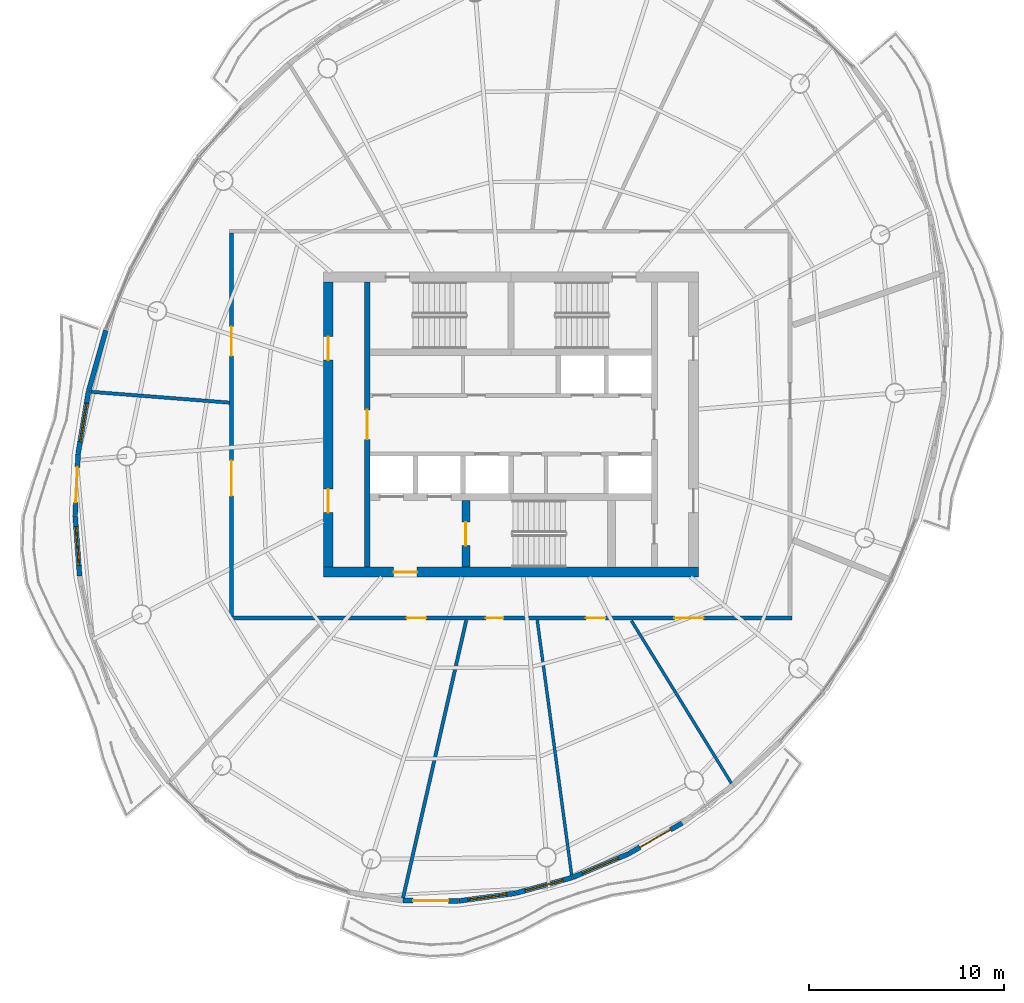
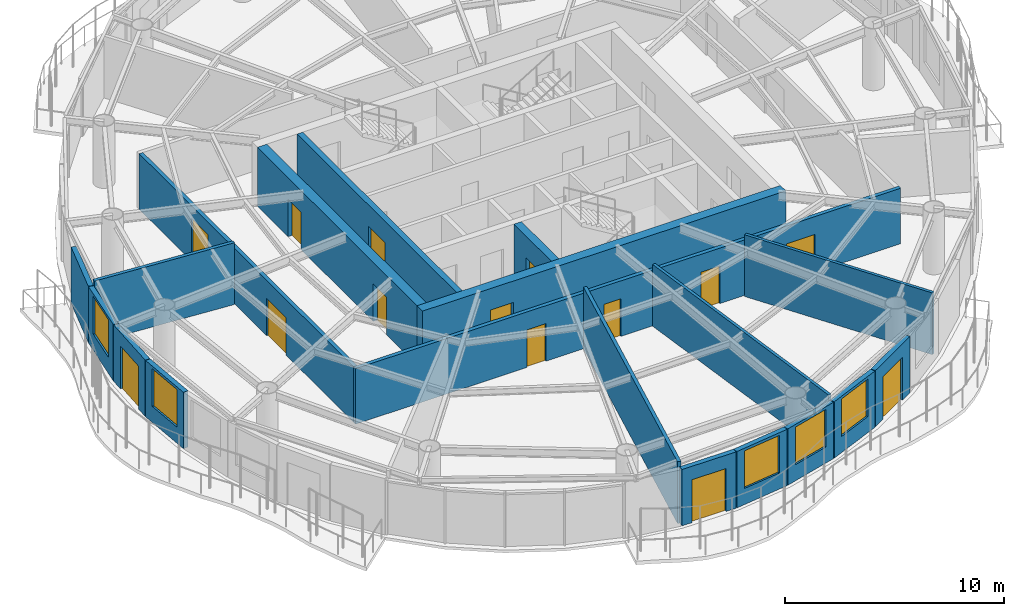
# One storey, part 8 of 14: 19 walls, 14 doors, 5 windows, 19 openings.
"""IFC4 building model written with IfcOpenShell, lengths in metres."""

from ifc_helpers import new_model, si_unit, direction, frame, frame_2d, origin, place, context, subcontext, project, spatial, rectangle, extrude, material, layer, layer_set, type_object, element, fill, save


model = new_model("IFC4")

# Units and contexts
model_context = context("Model", 3, precision=1e-05, world=origin(), true_north=direction((0.0, 1.0)))
body_context = subcontext(model_context, "Body", "Model", "MODEL_VIEW")
ifc_project = project(units=[si_unit("LENGTHUNIT", "METRE"), si_unit("AREAUNIT", "SQUARE_METRE"), si_unit("VOLUMEUNIT", "CUBIC_METRE"), si_unit("PLANEANGLEUNIT", "RADIAN"), si_unit("MASSUNIT", "GRAM", prefix="KILO")], contexts=[model_context])

# Site, building, storey
site_placement = place(None, origin())
site = spatial("IfcSite", under=ifc_project, at=site_placement, CompositionType="ELEMENT")
building_placement = place(site_placement, origin())
building = spatial("IfcBuilding", under=site, at=building_placement, Name="Vermilion Reach Broadcast Tower", CompositionType="ELEMENT")
storey_placement = place(building_placement, frame((0.0, 0.0, 268.5)))
storey = spatial("IfcBuildingStorey", under=building, at=storey_placement, Name="L66", CompositionType="ELEMENT", Elevation=268.5)

# Wall, opening, door
ifc_material_1 = material(Name="Concrete C50", Category="concrete")
ifc_layer_1 = layer(ifc_material_1, 0.300048828125)
ifc_layer_set_1 = layer_set([ifc_layer_1], Name="Core inner wall 300 mm Concrete C50")
wall_type_1 = type_object("IfcWallType", Name="Core inner wall 300 mm Concrete C50", PredefinedType="SHEAR", material=ifc_layer_set_1)
wall_1_placement = place(storey_placement, frame((-13.35009765625, 7.300048828125, 0.0), z_axis=(0.0, 0.0, 1.0), x_axis=(0.0, -1.0, 0.0)))
wall_1 = element("IfcWall", 1, at=wall_1_placement, inside=storey, type_object=wall_type_1, Name="L66 core wall ewW", PredefinedType="SHEAR", context=body_context, shape_type="SweptSolid", body=[
    extrude(rectangle(XDim=14.60009765625, YDim=0.300048828125, at=frame_2d((7.300048828125, 0.0))), origin(), (0.0, 0.0, 1.0), 3.300048828125),
])
opening_1_placement = place(wall_1_placement, frame((6.550048828125, 0.0, 0.0)))
opening_1 = element("IfcOpeningElement", 2, at=opening_1_placement, cuts=wall_1, Name="Opening D04", PredefinedType="OPENING", context=body_context, shape_type="SweptSolid", body=[
    extrude(rectangle(XDim=1.5, YDim=2.10009765625, at=frame_2d((0.75, 1.050048828125))), frame((0.0, 0.159912109375, 0.0), z_axis=(0.0, -1.0, 0.0), x_axis=(1.0, 0.0, 0.0)), (0.0, 0.0, 1.0), 0.320068359375),
])
ifc_material_2 = material(Name="Painted steel fire door", Category="steel")
door_type_1 = type_object("IfcDoorType", Name="Lift lobby door 1500 x 2100", OperationType="DOUBLE_DOOR_SINGLE_SWING", PredefinedType="NOTDEFINED", material=ifc_material_2)
door_1_placement = place(opening_1_placement, origin())
door_1 = element("IfcDoor", 3, at=door_1_placement, inside=storey, type_object=door_type_1, Name="L66 band door BW", OperationType="DOUBLE_DOOR_SINGLE_SWING", OverallHeight=2.10009765625, OverallWidth=1.5, PredefinedType="NOTDEFINED", context=body_context, shape_type="SweptSolid", body=[
    extrude(rectangle(XDim=1.5, YDim=2.10009765625, at=frame_2d((0.75, 1.050048828125))), frame((0.0, 0.02490234375, 0.0), z_axis=(0.0, -1.0, 0.0), x_axis=(1.0, 0.0, 0.0)), (0.0, 0.0, 1.0), 0.050048828125),
])
fill(opening_1, door_1)

ifc_material_3 = material(Name="Concrete C50", Category="concrete")
ifc_layer_2 = layer(ifc_material_3, 0.39990234375)
ifc_layer_set_2 = layer_set([ifc_layer_2], Name="Core inner wall 400 mm Concrete C50")
wall_type_2 = type_object("IfcWallType", Name="Core inner wall 400 mm Concrete C50", PredefinedType="SHEAR", material=ifc_layer_set_2)
wall_2_placement = place(storey_placement, frame((-8.300048828125, -3.8798828125, 0.0), z_axis=(0.0, 0.0, 1.0), x_axis=(0.0, -1.0, 0.0)))
wall_2 = element("IfcWall", 4, at=wall_2_placement, inside=storey, type_object=wall_type_2, Name="L66 core wall wa", PredefinedType="SHEAR", context=body_context, shape_type="SweptSolid", body=[
    extrude(rectangle(XDim=3.420166015625, YDim=0.39990234375, at=frame_2d((1.7099609375, 0.0))), origin(), (0.0, 0.0, 1.0), 3.300048828125),
])
opening_2_placement = place(wall_2_placement, frame((1.110107421875, 0.0, 0.0)))
opening_2 = element("IfcOpeningElement", 5, at=opening_2_placement, cuts=wall_2, Name="Opening D01", PredefinedType="OPENING", context=body_context, shape_type="SweptSolid", body=[
    extrude(rectangle(XDim=1.199951171875, YDim=2.10009765625, at=frame_2d((0.60009765625, 1.050048828125))), frame((0.0, 0.2099609375, 0.0), z_axis=(0.0, -1.0, 0.0), x_axis=(1.0, 0.0, 0.0)), (0.0, 0.0, 1.0), 0.419921875),
])
ifc_material_4 = material(Name="Painted steel fire door", Category="steel")
door_type_2 = type_object("IfcDoorType", Name="Stair door 1200 x 2100", OperationType="DOUBLE_DOOR_SINGLE_SWING", PredefinedType="NOTDEFINED", material=ifc_material_4)
door_2_placement = place(opening_2_placement, origin())
door_2 = element("IfcDoor", 6, at=door_2_placement, inside=storey, type_object=door_type_2, Name="L66 stair door ST3", OperationType="DOUBLE_DOOR_SINGLE_SWING", OverallHeight=2.10009765625, OverallWidth=1.199951171875, PredefinedType="NOTDEFINED", context=body_context, shape_type="SweptSolid", body=[
    extrude(rectangle(XDim=1.199951171875, YDim=2.10009765625, at=frame_2d((0.60009765625, 1.050048828125))), frame((0.0, 0.02490234375, 0.0), z_axis=(0.0, -1.0, 0.0), x_axis=(1.0, 0.0, 0.0)), (0.0, 0.0, 1.0), 0.050048828125),
])
fill(opening_2, door_2)

ifc_material_5 = material(Name="Concrete C50", Category="concrete")
ifc_layer_3 = layer(ifc_material_5, 0.5)
ifc_layer_set_3 = layer_set([ifc_layer_3], Name="Core outer wall 500 mm Concrete C50")
wall_type_3 = type_object("IfcWallType", Name="Core outer wall 500 mm Concrete C50", PredefinedType="SHEAR", material=ifc_layer_set_3)
wall_3_placement = place(storey_placement, frame((-15.60009765625, -7.550048828125, 0.0), z_axis=(0.0, 0.0, 1.0), x_axis=(1.0, 0.0, 0.0)))
wall_3 = element("IfcWall", 7, at=wall_3_placement, inside=storey, type_object=wall_type_3, Name="L66 core wall os", PredefinedType="SHEAR", context=body_context, shape_type="SweptSolid", body=[
    extrude(rectangle(XDim=19.2001953125, YDim=0.5, at=frame_2d((9.60009765625, 0.0))), origin(), (0.0, 0.0, 1.0), 3.300048828125),
])
opening_3_placement = place(wall_3_placement, frame((3.60009765625, 0.0, 0.0)))
opening_3 = element("IfcOpeningElement", 8, at=opening_3_placement, cuts=wall_3, Name="Opening D02", PredefinedType="OPENING", context=body_context, shape_type="SweptSolid", body=[
    extrude(rectangle(XDim=1.199951171875, YDim=2.10009765625, at=frame_2d((0.60009765625, 1.050048828125))), frame((0.0, 0.260009765625, 0.0), z_axis=(0.0, -1.0, 0.0), x_axis=(1.0, 0.0, 0.0)), (0.0, 0.0, 1.0), 0.52001953125),
])
ifc_material_6 = material(Name="Painted steel fire door", Category="steel")
door_type_3 = type_object("IfcDoorType", Name="Firefighting lobby door 1200 x 2100", OperationType="DOUBLE_DOOR_SINGLE_SWING", PredefinedType="NOTDEFINED", material=ifc_material_6)
door_3_placement = place(opening_3_placement, origin())
door_3 = element("IfcDoor", 9, at=door_3_placement, inside=storey, type_object=door_type_3, Name="L66 ffdoor door FFL", OperationType="DOUBLE_DOOR_SINGLE_SWING", OverallHeight=2.10009765625, OverallWidth=1.199951171875, PredefinedType="NOTDEFINED", context=body_context, shape_type="SweptSolid", body=[
    extrude(rectangle(XDim=1.199951171875, YDim=2.10009765625, at=frame_2d((0.60009765625, 1.050048828125))), frame((0.0, 0.02490234375, 0.0), z_axis=(0.0, -1.0, 0.0), x_axis=(1.0, 0.0, 0.0)), (0.0, 0.0, 1.0), 0.050048828125),
])
fill(opening_3, door_3)

# Wall, openings, doors
wall_4_placement = place(storey_placement, frame((-15.35009765625, 7.300048828125, 0.0), z_axis=(0.0, 0.0, 1.0), x_axis=(0.0, -1.0, 0.0)))
wall_4 = element("IfcWall", 10, at=wall_4_placement, inside=storey, type_object=wall_type_3, Name="L66 core wall ow", PredefinedType="SHEAR", context=body_context, shape_type="SweptSolid", body=[
    extrude(rectangle(XDim=14.60009765625, YDim=0.5, at=frame_2d((7.300048828125, 0.0))), origin(), (0.0, 0.0, 1.0), 3.300048828125),
])
opening_4_placement = place(wall_4_placement, frame((10.60009765625, 0.0, 0.0)))
opening_4 = element("IfcOpeningElement", 11, at=opening_4_placement, cuts=wall_4, Name="Opening D03", PredefinedType="OPENING", context=body_context, shape_type="SweptSolid", body=[
    extrude(rectangle(XDim=1.199951171875, YDim=2.10009765625, at=frame_2d((0.60009765625, 1.050048828125))), frame((0.0, 0.260009765625, 0.0), z_axis=(0.0, -1.0, 0.0), x_axis=(1.0, 0.0, 0.0)), (0.0, 0.0, 1.0), 0.52001953125),
])
opening_5_placement = place(wall_4_placement, frame((2.800048828125, 0.0, 0.0)))
opening_5 = element("IfcOpeningElement", 12, at=opening_5_placement, cuts=wall_4, Name="Opening D03", PredefinedType="OPENING", context=body_context, shape_type="SweptSolid", body=[
    extrude(rectangle(XDim=1.199951171875, YDim=2.10009765625, at=frame_2d((0.60009765625, 1.050048828125))), frame((0.0, 0.260009765625, 0.0), z_axis=(0.0, -1.0, 0.0), x_axis=(1.0, 0.0, 0.0)), (0.0, 0.0, 1.0), 0.52001953125),
])
ifc_material_7 = material(Name="Painted steel fire door", Category="steel")
door_type_4 = type_object("IfcDoorType", Name="Core lobby door 1200 x 2100", OperationType="DOUBLE_DOOR_SINGLE_SWING", PredefinedType="NOTDEFINED", material=ifc_material_7)
door_4_placement = place(opening_4_placement, origin())
door_4 = element("IfcDoor", 13, at=door_4_placement, inside=storey, type_object=door_type_4, Name="L66 slot door W0", OperationType="DOUBLE_DOOR_SINGLE_SWING", OverallHeight=2.10009765625, OverallWidth=1.199951171875, PredefinedType="NOTDEFINED", context=body_context, shape_type="SweptSolid", body=[
    extrude(rectangle(XDim=1.199951171875, YDim=2.10009765625, at=frame_2d((0.60009765625, 1.050048828125))), frame((0.0, 0.02490234375, 0.0), z_axis=(0.0, -1.0, 0.0), x_axis=(1.0, 0.0, 0.0)), (0.0, 0.0, 1.0), 0.050048828125),
])
fill(opening_4, door_4)
door_5_placement = place(opening_5_placement, origin())
door_5 = element("IfcDoor", 14, at=door_5_placement, inside=storey, type_object=door_type_4, Name="L66 slot door W1", OperationType="DOUBLE_DOOR_SINGLE_SWING", OverallHeight=2.10009765625, OverallWidth=1.199951171875, PredefinedType="NOTDEFINED", context=body_context, shape_type="SweptSolid", body=[
    extrude(rectangle(XDim=1.199951171875, YDim=2.10009765625, at=frame_2d((0.60009765625, 1.050048828125))), frame((0.0, 0.02490234375, 0.0), z_axis=(0.0, -1.0, 0.0), x_axis=(1.0, 0.0, 0.0)), (0.0, 0.0, 1.0), 0.050048828125),
])
fill(opening_5, door_5)

# Walls
ifc_material_8 = material(Name="Lightweight concrete block, plastered", Category="concrete")
ifc_layer_4 = layer(ifc_material_8, 0.14990234375)
ifc_layer_set_4 = layer_set([ifc_layer_4], Name="Partition 150 lightweight block")
wall_type_4 = type_object("IfcWallType", Name="Partition 150 lightweight block", PredefinedType="PARTITIONING", material=ifc_layer_set_4)
wall_5_placement = place(storey_placement, frame((-2.88671875, -23.06591796875, 0.0), z_axis=(0.0, 0.0, 1.0), x_axis=(-0.133760987358, 0.991013621632, 0.0)))
element("IfcWall", 15, at=wall_5_placement, inside=storey, type_object=wall_type_4, Name="Partition 66.07", PredefinedType="PARTITIONING", context=body_context, shape_type="SweptSolid", body=[
    extrude(rectangle(XDim=13.17431640625, YDim=0.14990234375, at=frame_2d((6.587158203125, 0.0))), origin(), (0.0, 0.0, 1.0), 3.449951171875),
])
wall_6_placement = place(storey_placement, frame((5.294189453125, -18.36865234375, 0.0), z_axis=(0.0, 0.0, 1.0), x_axis=(-0.523770006644, 0.851859718581, 0.0)))
element("IfcWall", 16, at=wall_6_placement, inside=storey, type_object=wall_type_4, Name="Partition 66.08", PredefinedType="PARTITIONING", context=body_context, shape_type="SweptSolid", body=[
    extrude(rectangle(XDim=9.77783203125, YDim=0.14990234375, at=frame_2d((4.888916015625, 0.0))), origin(), (0.0, 0.0, 1.0), 3.449951171875),
])
ifc_material_9 = material(Name="Fire-rated block, plastered")
ifc_layer_5 = layer(ifc_material_9, 0.175048828125)
ifc_layer_set_5 = layer_set([ifc_layer_5], Name="Partition 175 fire-rated block")
wall_type_5 = type_object("IfcWallType", Name="Partition 175 fire-rated block", PredefinedType="PARTITIONING", material=ifc_layer_set_5)
wall_7_placement = place(storey_placement, frame((-27.49755859375, 1.678955078125, 0.0), z_axis=(0.0, 0.0, 1.0), x_axis=(0.996964972733, -0.077851417097, 0.0)))
element("IfcWall", 17, at=wall_7_placement, inside=storey, type_object=wall_type_5, Name="Partition 66.04", PredefinedType="PARTITIONING", context=body_context, shape_type="SweptSolid", body=[
    extrude(rectangle(XDim=7.1123046875, YDim=0.175048828125, at=frame_2d((3.55615234375, 0.0))), origin(), (0.0, 0.0, 1.0), 3.449951171875),
])
wall_8_placement = place(storey_placement, frame((-11.520751953125, -24.242919921875, 0.0), z_axis=(0.0, 0.0, 1.0), x_axis=(0.222039917011, 0.975037576329, 0.0)))
element("IfcWall", 18, at=wall_8_placement, inside=storey, type_object=wall_type_5, Name="Partition 66.06", PredefinedType="PARTITIONING", context=body_context, shape_type="SweptSolid", body=[
    extrude(rectangle(XDim=14.587646484375, YDim=0.175048828125, at=frame_2d((7.2939453125, 0.0))), origin(), (0.0, 0.0, 1.0), 3.449951171875),
])
ifc_material_10 = material(Name="Terracotta rainscreen cladding", Category="masonry")
ifc_layer_6 = layer(ifc_material_10, 0.25)
ifc_layer_set_6 = layer_set([ifc_layer_6], Name="Terracotta rainscreen wall 250")
wall_type_6 = type_object("IfcWallType", Name="Terracotta rainscreen wall 250", PredefinedType="SOLIDWALL", material=ifc_layer_set_6)
wall_9_placement = place(storey_placement, frame((-26.731201171875, 4.825927734375, 0.0), z_axis=(0.0, 0.0, 1.0), x_axis=(-0.27386313883, -0.96176867343, 0.0)))
element("IfcWall", 19, at=wall_9_placement, inside=storey, type_object=wall_type_6, Name="External wall L66 14", PredefinedType="SOLIDWALL", context=body_context, shape_type="SweptSolid", body=[
    extrude(rectangle(XDim=3.232421875, YDim=0.25, at=frame_2d((1.6162109375, 0.0))), origin(), (0.0, 0.0, 1.0), 3.14990234375),
])

# Wall, opening, window
wall_10_placement = place(storey_placement, frame((-27.621337890625, 1.695556640625, 0.0), z_axis=(0.0, 0.0, 1.0), x_axis=(-0.163956663746, -0.986467542504, 0.0)))
wall_10 = element("IfcWall", 20, at=wall_10_placement, inside=storey, type_object=wall_type_6, Name="External wall L66 15", PredefinedType="SOLIDWALL", context=body_context, shape_type="SweptSolid", body=[
    extrude(rectangle(XDim=3.222412109375, YDim=0.25, at=frame_2d((1.611328125, 0.0))), origin(), (0.0, 0.0, 1.0), 3.14990234375),
])
opening_6_placement = place(wall_10_placement, frame((0.611083984375, 0.0, 0.89990234375)))
opening_6 = element("IfcOpeningElement", 21, at=opening_6_placement, cuts=wall_10, Name="Opening W03", PredefinedType="OPENING", context=body_context, shape_type="SweptSolid", body=[
    extrude(rectangle(XDim=2.0, YDim=2.10009765625, at=frame_2d((1.0, 1.050048828125))), frame((0.0, 0.135009765625, 0.0), z_axis=(0.0, -1.0, 0.0), x_axis=(1.0, 0.0, 0.0)), (0.0, 0.0, 1.0), 0.27001953125),
])
ifc_material_11 = material(Name="Low-e laminated clear glass in aluminium frame", Category="aluminium")
window_type = type_object("IfcWindowType", Name="Punched window 2000 x 2100 sill 900", PartitioningType="SINGLE_PANEL", PredefinedType="WINDOW", material=ifc_material_11)
window_1_placement = place(opening_6_placement, origin())
window_1 = element("IfcWindow", 22, at=window_1_placement, inside=storey, type_object=window_type, Name="Window L66 15", OverallHeight=2.10009765625, OverallWidth=2.0, PartitioningType="SINGLE_PANEL", PredefinedType="WINDOW", context=body_context, shape_type="SweptSolid", body=[
    extrude(rectangle(XDim=2.0, YDim=2.10009765625, at=frame_2d((1.0, 1.050048828125))), frame((0.0, 0.030029296875, 0.0), z_axis=(0.0, -1.0, 0.0), x_axis=(1.0, 0.0, 0.0)), (0.0, 0.0, 1.0), 0.06005859375),
])
fill(opening_6, window_1)

# Wall, opening, door
wall_11_placement = place(storey_placement, frame((-28.152099609375, -1.505615234375, 0.0), z_axis=(0.0, 0.0, 1.0), x_axis=(-0.047748991173, -0.998859366398, 0.0)))
wall_11 = element("IfcWall", 23, at=wall_11_placement, inside=storey, type_object=wall_type_6, Name="External wall L66 16", PredefinedType="SOLIDWALL", context=body_context, shape_type="SweptSolid", body=[
    extrude(rectangle(XDim=3.15478515625, YDim=0.25, at=frame_2d((1.577392578125, 0.0))), origin(), (0.0, 0.0, 1.0), 3.14990234375),
])
opening_7_placement = place(wall_11_placement, frame((0.677001953125, 0.0, 0.0)))
opening_7 = element("IfcOpeningElement", 24, at=opening_7_placement, cuts=wall_11, Name="Opening D70", PredefinedType="OPENING", context=body_context, shape_type="SweptSolid", body=[
    extrude(rectangle(XDim=1.800048828125, YDim=2.39990234375, at=frame_2d((0.89990234375, 1.199951171875))), frame((0.0, 0.135009765625, 0.0), z_axis=(0.0, -1.0, 0.0), x_axis=(1.0, 0.0, 0.0)), (0.0, 0.0, 1.0), 0.27001953125),
])
ifc_material_12 = material(Name="Low-e laminated clear glass in aluminium frame", Category="aluminium")
door_type_5 = type_object("IfcDoorType", Name="Balcony sliding door 1800 x 2400", OperationType="DOUBLE_DOOR_SLIDING", PredefinedType="DOOR", material=ifc_material_12)
door_6_placement = place(opening_7_placement, origin())
door_6 = element("IfcDoor", 25, at=door_6_placement, inside=storey, type_object=door_type_5, Name="Balcony door L66 run 04", OperationType="DOUBLE_DOOR_SLIDING", OverallHeight=2.39990234375, OverallWidth=1.800048828125, PredefinedType="DOOR", context=body_context, shape_type="SweptSolid", body=[
    extrude(rectangle(XDim=1.800048828125, YDim=2.39990234375, at=frame_2d((0.89990234375, 1.199951171875))), frame((0.0, 0.02490234375, 0.0), z_axis=(0.0, -1.0, 0.0), x_axis=(1.0, 0.0, 0.0)), (0.0, 0.0, 1.0), 0.050048828125),
])
fill(opening_7, door_6)

# Wall, opening, window
wall_12_placement = place(storey_placement, frame((-28.302490234375, -4.679931640625, 0.0), z_axis=(0.0, 0.0, 1.0), x_axis=(0.074336319404, -0.997233228296, 0.0)))
wall_12 = element("IfcWall", 26, at=wall_12_placement, inside=storey, type_object=wall_type_6, Name="External wall L66 17", PredefinedType="SOLIDWALL", context=body_context, shape_type="SweptSolid", body=[
    extrude(rectangle(XDim=3.077392578125, YDim=0.25, at=frame_2d((1.53857421875, 0.0))), origin(), (0.0, 0.0, 1.0), 3.14990234375),
])
opening_8_placement = place(wall_12_placement, frame((0.53857421875, 0.0, 0.89990234375)))
opening_8 = element("IfcOpeningElement", 27, at=opening_8_placement, cuts=wall_12, Name="Opening W03", PredefinedType="OPENING", context=body_context, shape_type="SweptSolid", body=[
    extrude(rectangle(XDim=2.0, YDim=2.10009765625, at=frame_2d((1.0, 1.050048828125))), frame((0.0, 0.135009765625, 0.0), z_axis=(0.0, -1.0, 0.0), x_axis=(1.0, 0.0, 0.0)), (0.0, 0.0, 1.0), 0.27001953125),
])
window_2_placement = place(opening_8_placement, origin())
window_2 = element("IfcWindow", 28, at=window_2_placement, inside=storey, type_object=window_type, Name="Window L66 17", OverallHeight=2.10009765625, OverallWidth=2.0, PartitioningType="SINGLE_PANEL", PredefinedType="WINDOW", context=body_context, shape_type="SweptSolid", body=[
    extrude(rectangle(XDim=2.0, YDim=2.10009765625, at=frame_2d((1.0, 1.050048828125))), frame((0.0, 0.030029296875, 0.0), z_axis=(0.0, -1.0, 0.0), x_axis=(1.0, 0.0, 0.0)), (0.0, 0.0, 1.0), 0.06005859375),
])
fill(opening_8, window_2)

# Wall, opening, door
wall_13_placement = place(storey_placement, frame((-11.517578125, -24.36767578125, 0.0), z_axis=(0.0, 0.0, 1.0), x_axis=(0.999975721993, -0.006968172185, 0.0)))
wall_13 = element("IfcWall", 29, at=wall_13_placement, inside=storey, type_object=wall_type_6, Name="External wall L66 27", PredefinedType="SOLIDWALL", context=body_context, shape_type="SweptSolid", body=[
    extrude(rectangle(XDim=2.837890625, YDim=0.25, at=frame_2d((1.4189453125, 0.0))), origin(), (0.0, 0.0, 1.0), 3.14990234375),
])
opening_9_placement = place(wall_13_placement, frame((0.51904296875, 0.0, 0.0)))
opening_9 = element("IfcOpeningElement", 30, at=opening_9_placement, cuts=wall_13, Name="Opening D70", PredefinedType="OPENING", context=body_context, shape_type="SweptSolid", body=[
    extrude(rectangle(XDim=1.800048828125, YDim=2.39990234375, at=frame_2d((0.89990234375, 1.199951171875))), frame((0.0, 0.135009765625, 0.0), z_axis=(0.0, -1.0, 0.0), x_axis=(1.0, 0.0, 0.0)), (0.0, 0.0, 1.0), 0.27001953125),
])
door_7_placement = place(opening_9_placement, origin())
door_7 = element("IfcDoor", 31, at=door_7_placement, inside=storey, type_object=door_type_5, Name="Balcony door L66 run 07", OperationType="DOUBLE_DOOR_SLIDING", OverallHeight=2.39990234375, OverallWidth=1.800048828125, PredefinedType="DOOR", context=body_context, shape_type="SweptSolid", body=[
    extrude(rectangle(XDim=1.800048828125, YDim=2.39990234375, at=frame_2d((0.89990234375, 1.199951171875))), frame((0.0, 0.02490234375, 0.0), z_axis=(0.0, -1.0, 0.0), x_axis=(1.0, 0.0, 0.0)), (0.0, 0.0, 1.0), 0.050048828125),
])
fill(opening_9, door_7)

# Wall, opening, window
wall_14_placement = place(storey_placement, frame((-8.654052734375, -24.3857421875, 0.0), z_axis=(0.0, 0.0, 1.0), x_axis=(0.990855140329, 0.134929948061, 0.0)))
wall_14 = element("IfcWall", 32, at=wall_14_placement, inside=storey, type_object=wall_type_6, Name="External wall L66 28", PredefinedType="SOLIDWALL", context=body_context, shape_type="SweptSolid", body=[
    extrude(rectangle(XDim=2.9130859375, YDim=0.25, at=frame_2d((1.45654296875, 0.0))), origin(), (0.0, 0.0, 1.0), 3.14990234375),
])
opening_10_placement = place(wall_14_placement, frame((0.45654296875, 0.0, 0.89990234375)))
opening_10 = element("IfcOpeningElement", 33, at=opening_10_placement, cuts=wall_14, Name="Opening W03", PredefinedType="OPENING", context=body_context, shape_type="SweptSolid", body=[
    extrude(rectangle(XDim=2.0, YDim=2.10009765625, at=frame_2d((1.0, 1.050048828125))), frame((0.0, 0.135009765625, 0.0), z_axis=(0.0, -1.0, 0.0), x_axis=(1.0, 0.0, 0.0)), (0.0, 0.0, 1.0), 0.27001953125),
])
window_3_placement = place(opening_10_placement, origin())
window_3 = element("IfcWindow", 34, at=window_3_placement, inside=storey, type_object=window_type, Name="Window L66 28", OverallHeight=2.10009765625, OverallWidth=2.0, PartitioningType="SINGLE_PANEL", PredefinedType="WINDOW", context=body_context, shape_type="SweptSolid", body=[
    extrude(rectangle(XDim=2.0, YDim=2.10009765625, at=frame_2d((1.0, 1.050048828125))), frame((0.0, 0.030029296875, 0.0), z_axis=(0.0, -1.0, 0.0), x_axis=(1.0, 0.0, 0.0)), (0.0, 0.0, 1.0), 0.06005859375),
])
fill(opening_10, window_3)

wall_15_placement = place(storey_placement, frame((-5.7431640625, -23.987548828125, 0.0), z_axis=(0.0, 0.0, 1.0), x_axis=(0.963614779494, 0.267294887231, 0.0)))
wall_15 = element("IfcWall", 35, at=wall_15_placement, inside=storey, type_object=wall_type_6, Name="External wall L66 29", PredefinedType="SOLIDWALL", context=body_context, shape_type="SweptSolid", body=[
    extrude(rectangle(XDim=2.994873046875, YDim=0.25, at=frame_2d((1.49755859375, 0.0))), origin(), (0.0, 0.0, 1.0), 3.14990234375),
])
opening_11_placement = place(wall_15_placement, frame((0.49755859375, 0.0, 0.89990234375)))
opening_11 = element("IfcOpeningElement", 36, at=opening_11_placement, cuts=wall_15, Name="Opening W03", PredefinedType="OPENING", context=body_context, shape_type="SweptSolid", body=[
    extrude(rectangle(XDim=2.0, YDim=2.10009765625, at=frame_2d((1.0, 1.050048828125))), frame((0.0, 0.135009765625, 0.0), z_axis=(0.0, -1.0, 0.0), x_axis=(1.0, 0.0, 0.0)), (0.0, 0.0, 1.0), 0.27001953125),
])
window_4_placement = place(opening_11_placement, origin())
window_4 = element("IfcWindow", 37, at=window_4_placement, inside=storey, type_object=window_type, Name="Window L66 29", OverallHeight=2.10009765625, OverallWidth=2.0, PartitioningType="SINGLE_PANEL", PredefinedType="WINDOW", context=body_context, shape_type="SweptSolid", body=[
    extrude(rectangle(XDim=2.0, YDim=2.10009765625, at=frame_2d((1.0, 1.050048828125))), frame((0.0, 0.030029296875, 0.0), z_axis=(0.0, -1.0, 0.0), x_axis=(1.0, 0.0, 0.0)), (0.0, 0.0, 1.0), 0.06005859375),
])
fill(opening_11, window_4)

wall_16_placement = place(storey_placement, frame((-2.83447265625, -23.17919921875, 0.0), z_axis=(0.0, 0.0, 1.0), x_axis=(0.921479990726, 0.388425831648, 0.0)))
wall_16 = element("IfcWall", 38, at=wall_16_placement, inside=storey, type_object=wall_type_6, Name="External wall L66 30", PredefinedType="SOLIDWALL", context=body_context, shape_type="SweptSolid", body=[
    extrude(rectangle(XDim=3.077392578125, YDim=0.25, at=frame_2d((1.53857421875, 0.0))), origin(), (0.0, 0.0, 1.0), 3.14990234375),
])
opening_12_placement = place(wall_16_placement, frame((0.53857421875, 0.0, 0.89990234375)))
opening_12 = element("IfcOpeningElement", 39, at=opening_12_placement, cuts=wall_16, Name="Opening W03", PredefinedType="OPENING", context=body_context, shape_type="SweptSolid", body=[
    extrude(rectangle(XDim=2.0, YDim=2.10009765625, at=frame_2d((1.0, 1.050048828125))), frame((0.0, 0.135009765625, 0.0), z_axis=(0.0, -1.0, 0.0), x_axis=(1.0, 0.0, 0.0)), (0.0, 0.0, 1.0), 0.27001953125),
])
window_5_placement = place(opening_12_placement, origin())
window_5 = element("IfcWindow", 40, at=window_5_placement, inside=storey, type_object=window_type, Name="Window L66 30", OverallHeight=2.10009765625, OverallWidth=2.0, PartitioningType="SINGLE_PANEL", PredefinedType="WINDOW", context=body_context, shape_type="SweptSolid", body=[
    extrude(rectangle(XDim=2.0, YDim=2.10009765625, at=frame_2d((1.0, 1.050048828125))), frame((0.0, 0.030029296875, 0.0), z_axis=(0.0, -1.0, 0.0), x_axis=(1.0, 0.0, 0.0)), (0.0, 0.0, 1.0), 0.06005859375),
])
fill(opening_12, window_5)

# Wall, opening, door
wall_17_placement = place(storey_placement, frame((0.02197265625, -21.9736328125, 0.0), z_axis=(0.0, 0.0, 1.0), x_axis=(0.867241340308, 0.497887997104, 0.0)))
wall_17 = element("IfcWall", 41, at=wall_17_placement, inside=storey, type_object=wall_type_6, Name="External wall L66 31", PredefinedType="SOLIDWALL", context=body_context, shape_type="SweptSolid", body=[
    extrude(rectangle(XDim=3.155029296875, YDim=0.25, at=frame_2d((1.57763671875, 0.0))), origin(), (0.0, 0.0, 1.0), 3.14990234375),
])
opening_13_placement = place(wall_17_placement, frame((0.677001953125, 0.0, 0.0)))
opening_13 = element("IfcOpeningElement", 42, at=opening_13_placement, cuts=wall_17, Name="Opening D70", PredefinedType="OPENING", context=body_context, shape_type="SweptSolid", body=[
    extrude(rectangle(XDim=1.800048828125, YDim=2.39990234375, at=frame_2d((0.89990234375, 1.199951171875))), frame((0.0, 0.135009765625, 0.0), z_axis=(0.0, -1.0, 0.0), x_axis=(1.0, 0.0, 0.0)), (0.0, 0.0, 1.0), 0.27001953125),
])
door_8_placement = place(opening_13_placement, origin())
door_8 = element("IfcDoor", 43, at=door_8_placement, inside=storey, type_object=door_type_5, Name="Balcony door L66 run 08", OperationType="DOUBLE_DOOR_SLIDING", OverallHeight=2.39990234375, OverallWidth=1.800048828125, PredefinedType="DOOR", context=body_context, shape_type="SweptSolid", body=[
    extrude(rectangle(XDim=1.800048828125, YDim=2.39990234375, at=frame_2d((0.89990234375, 1.199951171875))), frame((0.0, 0.02490234375, 0.0), z_axis=(0.0, -1.0, 0.0), x_axis=(1.0, 0.0, 0.0)), (0.0, 0.0, 1.0), 0.050048828125),
])
fill(opening_13, door_8)

# Wall, openings, doors
ifc_material_13 = material(Name="Fire-rated gypsum board partition")
ifc_layer_7 = layer(ifc_material_13, 0.199951171875)
ifc_layer_set_7 = layer_set([ifc_layer_7], Name="Under girder: Corridor wall 200 fire-rated")
wall_type_7 = type_object("IfcWallType", Name="Under girder: Corridor wall 200 fire-rated", PredefinedType="PARTITIONING", material=ifc_layer_set_7)
wall_18_placement = place(storey_placement, frame((8.39990234375, -9.89990234375, 0.0), z_axis=(0.0, 0.0, 1.0), x_axis=(-1.0, 0.0, 0.0)))
wall_18 = element("IfcWall", 44, at=wall_18_placement, inside=storey, type_object=wall_type_7, Name="Corridor wall 66.S", PredefinedType="PARTITIONING", context=body_context, shape_type="SweptSolid", body=[
    extrude(rectangle(XDim=28.7998046875, YDim=0.199951171875, at=frame_2d((14.39990234375, 0.0))), origin(), (0.0, 0.0, 1.0), 3.10009765625),
])
opening_14_placement = place(wall_18_placement, frame((18.73876953125, 0.0, 0.0)))
opening_14 = element("IfcOpeningElement", 45, at=opening_14_placement, cuts=wall_18, Name="Opening D20", PredefinedType="OPENING", context=body_context, shape_type="SweptSolid", body=[
    extrude(rectangle(XDim=1.0, YDim=2.10009765625, at=frame_2d((0.5, 1.050048828125))), frame((0.0, 0.10986328125, 0.0), z_axis=(0.0, -1.0, 0.0), x_axis=(1.0, 0.0, 0.0)), (0.0, 0.0, 1.0), 0.219970703125),
])
opening_15_placement = place(wall_18_placement, frame((14.7841796875, 0.0, 0.0)))
opening_15 = element("IfcOpeningElement", 46, at=opening_15_placement, cuts=wall_18, Name="Opening D22", PredefinedType="OPENING", context=body_context, shape_type="SweptSolid", body=[
    extrude(rectangle(XDim=0.89990234375, YDim=2.10009765625, at=frame_2d((0.449951171875, 1.050048828125))), frame((0.0, 0.10986328125, 0.0), z_axis=(0.0, -1.0, 0.0), x_axis=(1.0, 0.0, 0.0)), (0.0, 0.0, 1.0), 0.219970703125),
])
opening_16_placement = place(wall_18_placement, frame((9.56103515625, 0.0, 0.0)))
opening_16 = element("IfcOpeningElement", 47, at=opening_16_placement, cuts=wall_18, Name="Opening D20", PredefinedType="OPENING", context=body_context, shape_type="SweptSolid", body=[
    extrude(rectangle(XDim=1.0, YDim=2.10009765625, at=frame_2d((0.5, 1.050048828125))), frame((0.0, 0.10986328125, 0.0), z_axis=(0.0, -1.0, 0.0), x_axis=(1.0, 0.0, 0.0)), (0.0, 0.0, 1.0), 0.219970703125),
])
opening_17_placement = place(wall_18_placement, frame((4.52587890625, 0.0, 0.0)))
opening_17 = element("IfcOpeningElement", 48, at=opening_17_placement, cuts=wall_18, Name="Opening D24", PredefinedType="OPENING", context=body_context, shape_type="SweptSolid", body=[
    extrude(rectangle(XDim=1.5, YDim=2.10009765625, at=frame_2d((0.75, 1.050048828125))), frame((0.0, 0.10986328125, 0.0), z_axis=(0.0, -1.0, 0.0), x_axis=(1.0, 0.0, 0.0)), (0.0, 0.0, 1.0), 0.219970703125),
])
ifc_material_14 = material(Name="Timber door leaf", Category="wood")
door_type_6 = type_object("IfcDoorType", Name="Door pair 1500x2100", OperationType="NOTDEFINED", PredefinedType="DOOR", material=ifc_material_14)
door_9_placement = place(opening_17_placement, origin())
door_9 = element("IfcDoor", 49, at=door_9_placement, inside=storey, type_object=door_type_6, Name="Door 66.08", OperationType="DOUBLE_DOOR_SINGLE_SWING", OverallHeight=2.10009765625, OverallWidth=1.5, PredefinedType="DOOR", context=body_context, shape_type="SweptSolid", body=[
    extrude(rectangle(XDim=1.5, YDim=2.10009765625, at=frame_2d((0.75, 1.050048828125))), frame((0.0, 0.02490234375, 0.0), z_axis=(0.0, -1.0, 0.0), x_axis=(1.0, 0.0, 0.0)), (0.0, 0.0, 1.0), 0.050048828125),
])
fill(opening_17, door_9)
ifc_material_15 = material(Name="Timber door leaf", Category="wood")
door_type_7 = type_object("IfcDoorType", Name="Door single 1000x2100", OperationType="NOTDEFINED", PredefinedType="DOOR", material=ifc_material_15)
door_10_placement = place(opening_14_placement, origin())
door_10 = element("IfcDoor", 50, at=door_10_placement, inside=storey, type_object=door_type_7, Name="Door 66.05", OperationType="SINGLE_SWING_LEFT", OverallHeight=2.10009765625, OverallWidth=1.0, PredefinedType="DOOR", context=body_context, shape_type="SweptSolid", body=[
    extrude(rectangle(XDim=1.0, YDim=2.10009765625, at=frame_2d((0.5, 1.050048828125))), frame((0.0, 0.02490234375, 0.0), z_axis=(0.0, -1.0, 0.0), x_axis=(1.0, 0.0, 0.0)), (0.0, 0.0, 1.0), 0.050048828125),
])
fill(opening_14, door_10)
door_11_placement = place(opening_16_placement, origin())
door_11 = element("IfcDoor", 51, at=door_11_placement, inside=storey, type_object=door_type_7, Name="Door 66.07", OperationType="SINGLE_SWING_LEFT", OverallHeight=2.10009765625, OverallWidth=1.0, PredefinedType="DOOR", context=body_context, shape_type="SweptSolid", body=[
    extrude(rectangle(XDim=1.0, YDim=2.10009765625, at=frame_2d((0.5, 1.050048828125))), frame((0.0, 0.02490234375, 0.0), z_axis=(0.0, -1.0, 0.0), x_axis=(1.0, 0.0, 0.0)), (0.0, 0.0, 1.0), 0.050048828125),
])
fill(opening_16, door_11)
ifc_material_16 = material(Name="Timber door leaf", Category="wood")
door_type_8 = type_object("IfcDoorType", Name="Door single 900x2100", OperationType="NOTDEFINED", PredefinedType="DOOR", material=ifc_material_16)
door_12_placement = place(opening_15_placement, origin())
door_12 = element("IfcDoor", 52, at=door_12_placement, inside=storey, type_object=door_type_8, Name="Door 66.06", OperationType="SINGLE_SWING_RIGHT", OverallHeight=2.10009765625, OverallWidth=0.89990234375, PredefinedType="DOOR", context=body_context, shape_type="SweptSolid", body=[
    extrude(rectangle(XDim=0.89990234375, YDim=2.10009765625, at=frame_2d((0.449951171875, 1.050048828125))), frame((0.0, 0.02490234375, 0.0), z_axis=(0.0, -1.0, 0.0), x_axis=(1.0, 0.0, 0.0)), (0.0, 0.0, 1.0), 0.050048828125),
])
fill(opening_15, door_12)

wall_19_placement = place(storey_placement, frame((-20.300048828125, -9.800048828125, 0.0), z_axis=(0.0, 0.0, 1.0), x_axis=(0.0, 1.0, 0.0)))
wall_19 = element("IfcWall", 53, at=wall_19_placement, inside=storey, type_object=wall_type_7, Name="Corridor wall 66.W", PredefinedType="PARTITIONING", context=body_context, shape_type="SweptSolid", body=[
    extrude(rectangle(XDim=19.60009765625, YDim=0.199951171875, at=frame_2d((9.800048828125, 0.0))), origin(), (0.0, 0.0, 1.0), 3.10009765625),
])
opening_18_placement = place(wall_19_placement, frame((13.312255859375, 0.0, 0.0)))
opening_18 = element("IfcOpeningElement", 54, at=opening_18_placement, cuts=wall_19, Name="Opening D25", PredefinedType="OPENING", context=body_context, shape_type="SweptSolid", body=[
    extrude(rectangle(XDim=1.5, YDim=2.39990234375, at=frame_2d((0.75, 1.199951171875))), frame((0.0, 0.10986328125, 0.0), z_axis=(0.0, -1.0, 0.0), x_axis=(1.0, 0.0, 0.0)), (0.0, 0.0, 1.0), 0.219970703125),
])
opening_19_placement = place(wall_19_placement, frame((6.15234375, 0.0, 0.0)))
opening_19 = element("IfcOpeningElement", 55, at=opening_19_placement, cuts=wall_19, Name="Opening D21", PredefinedType="OPENING", context=body_context, shape_type="SweptSolid", body=[
    extrude(rectangle(XDim=1.800048828125, YDim=2.10009765625, at=frame_2d((0.89990234375, 1.050048828125))), frame((0.0, 0.10986328125, 0.0), z_axis=(0.0, -1.0, 0.0), x_axis=(1.0, 0.0, 0.0)), (0.0, 0.0, 1.0), 0.219970703125),
])
ifc_material_17 = material(Name="Glazed timber door leaf", Category="wood")
door_type_9 = type_object("IfcDoorType", Name="Door pair 1500x2400", OperationType="NOTDEFINED", PredefinedType="DOOR", material=ifc_material_17)
door_13_placement = place(opening_18_placement, origin())
door_13 = element("IfcDoor", 56, at=door_13_placement, inside=storey, type_object=door_type_9, Name="Door 66.03", OperationType="DOUBLE_DOOR_SINGLE_SWING", OverallHeight=2.39990234375, OverallWidth=1.5, PredefinedType="DOOR", context=body_context, shape_type="SweptSolid", body=[
    extrude(rectangle(XDim=1.5, YDim=2.39990234375, at=frame_2d((0.75, 1.199951171875))), frame((0.0, 0.02490234375, 0.0), z_axis=(0.0, -1.0, 0.0), x_axis=(1.0, 0.0, 0.0)), (0.0, 0.0, 1.0), 0.050048828125),
])
fill(opening_18, door_13)
ifc_material_18 = material(Name="Timber door leaf", Category="wood")
door_type_10 = type_object("IfcDoorType", Name="Door pair 1800x2100", OperationType="NOTDEFINED", PredefinedType="DOOR", material=ifc_material_18)
door_14_placement = place(opening_19_placement, origin())
door_14 = element("IfcDoor", 57, at=door_14_placement, inside=storey, type_object=door_type_10, Name="Door 66.04", OperationType="DOUBLE_DOOR_SINGLE_SWING", OverallHeight=2.10009765625, OverallWidth=1.800048828125, PredefinedType="DOOR", context=body_context, shape_type="SweptSolid", body=[
    extrude(rectangle(XDim=1.800048828125, YDim=2.10009765625, at=frame_2d((0.89990234375, 1.050048828125))), frame((0.0, 0.02490234375, 0.0), z_axis=(0.0, -1.0, 0.0), x_axis=(1.0, 0.0, 0.0)), (0.0, 0.0, 1.0), 0.050048828125),
])
fill(opening_19, door_14)

save(model, "model.ifc")
